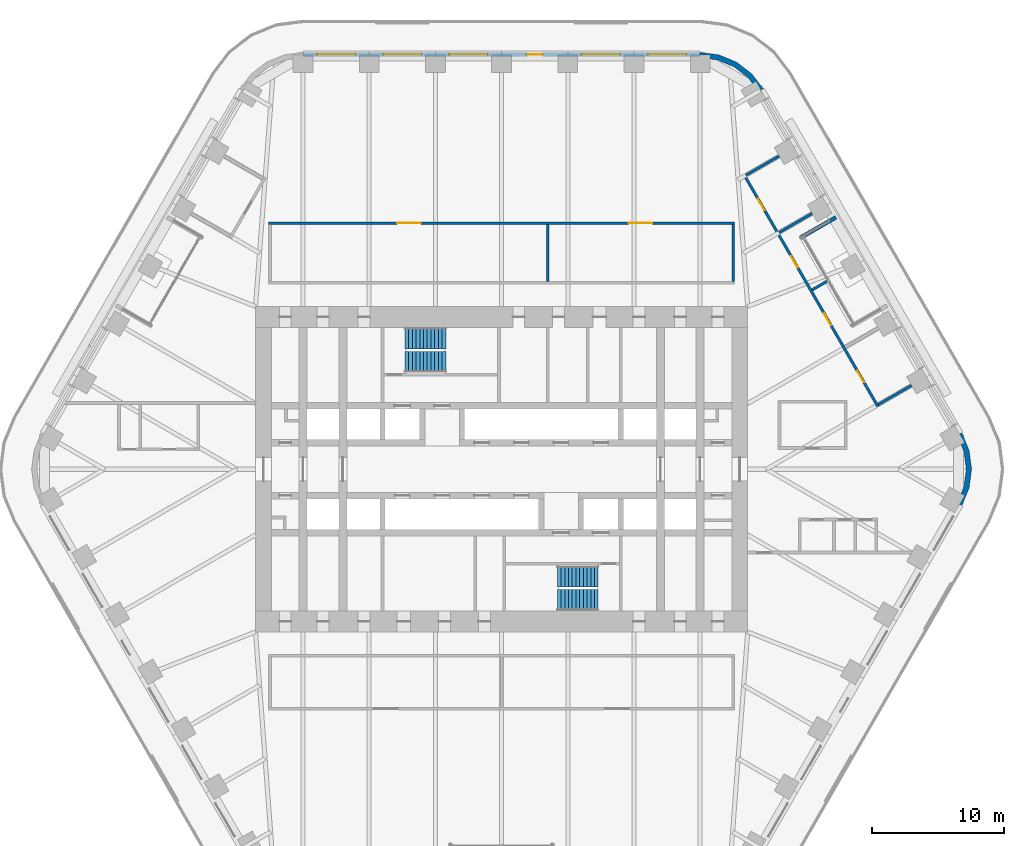
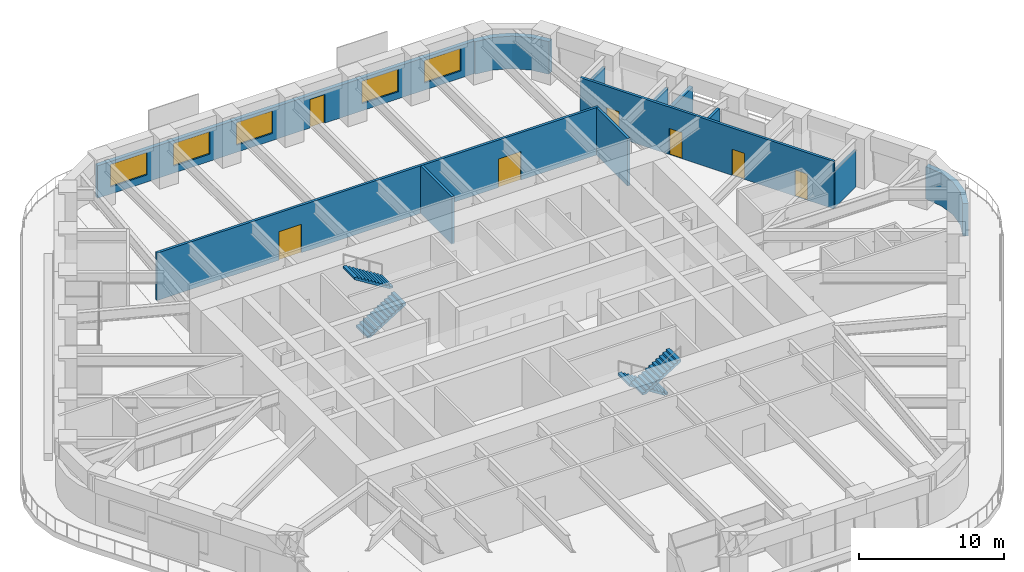
# One storey, part 21 of 24: 12 walls, 7 doors, 5 windows, 4 stair flights, 12 openings, 2 elements without a shape of their own.
"""IFC4 building model written with IfcOpenShell, lengths in metres."""

from ifc_helpers import new_model, si_unit, direction, frame, frame_2d, origin, place, context, subcontext, project, spatial, polyline, rectangle, outline, extrude, material, layer, layer_set, type_object, element, fill, aggregate, save


model = new_model("IFC4")

# Units and contexts
model_context = context("Model", 3, precision=1e-05, world=origin(), true_north=direction((0.0, 1.0)))
body_context = subcontext(model_context, "Body", "Model", "MODEL_VIEW")
ifc_project = project(units=[si_unit("LENGTHUNIT", "METRE"), si_unit("AREAUNIT", "SQUARE_METRE"), si_unit("VOLUMEUNIT", "CUBIC_METRE"), si_unit("PLANEANGLEUNIT", "RADIAN"), si_unit("MASSUNIT", "GRAM", prefix="KILO")], contexts=[model_context])

# Site, building, storey
site_placement = place(None, origin())
site = spatial("IfcSite", under=ifc_project, at=site_placement, CompositionType="ELEMENT")
building_placement = place(site_placement, origin())
building = spatial("IfcBuilding", under=site, at=building_placement, Name="Tarfa Lantern Tower", CompositionType="ELEMENT")
storey_placement = place(building_placement, frame((0.0, 0.0, 195.10009765625)))
storey = spatial("IfcBuildingStorey", under=building, at=storey_placement, Name="L44", CompositionType="ELEMENT", Elevation=195.10009765625)

# Wall
ifc_material_1 = material(Name="Limestone cladding on blockwork", Category="masonry")
ifc_layer_1 = layer(ifc_material_1, 0.300048828125)
ifc_layer_set_1 = layer_set([ifc_layer_1], Name="EW1 STONE-CLAD WALL 300")
wall_type_1 = type_object("IfcWallType", Name="EW1 STONE-CLAD WALL 300", PredefinedType="SOLIDWALL", material=ifc_layer_set_1)
wall_1_placement = place(storey_placement, frame((25.266357421875, 19.037353515625, 0.0), z_axis=(0.0, 0.0, 1.0), x_axis=(-0.86600983753, -0.500026960575, 0.0)))
element("IfcWall", 1, at=wall_1_placement, inside=storey, type_object=wall_type_1, Name="Loggia return NE 2", PredefinedType="SOLIDWALL", context=body_context, shape_type="SweptSolid", body=[
    extrude(rectangle(XDim=3.099853515625, YDim=0.300048828125, at=frame_2d((1.5498046875, 0.0))), origin(), (0.0, 0.0, 1.0), 2.75),
])

# Wall, openings, door, windows
wall_2_placement = place(storey_placement, frame((15.010986328125, 31.35009765625, 0.0), z_axis=(0.0, 0.0, 1.0), x_axis=(-1.0, 0.0, 0.0)))
wall_2 = element("IfcWall", 2, at=wall_2_placement, inside=storey, type_object=wall_type_1, Name="Stone wall N", PredefinedType="SOLIDWALL", context=body_context, shape_type="SweptSolid", body=[
    extrude(rectangle(XDim=30.02197265625, YDim=0.300048828125, at=frame_2d((15.010986328125, 0.0))), origin(), (0.0, 0.0, 1.0), 2.75),
])
opening_1_placement = place(wall_2_placement, frame((1.0517578125, 0.0, 0.60009765625)))
opening_1 = element("IfcOpeningElement", 3, at=opening_1_placement, cuts=wall_2, Name="Opening W9", PredefinedType="OPENING", context=body_context, shape_type="SweptSolid", body=[
    extrude(rectangle(XDim=2.89990234375, YDim=1.89990234375, at=frame_2d((1.449951171875, 0.949951171875))), frame((0.0, 0.159912109375, 0.0), z_axis=(0.0, -1.0, 0.0), x_axis=(1.0, 0.0, 0.0)), (0.0, 0.0, 1.0), 0.320068359375),
])
opening_2_placement = place(wall_2_placement, frame((6.0556640625, 0.0, 0.60009765625)))
opening_2 = element("IfcOpeningElement", 4, at=opening_2_placement, cuts=wall_2, Name="Opening W9", PredefinedType="OPENING", context=body_context, shape_type="SweptSolid", body=[
    extrude(rectangle(XDim=2.89990234375, YDim=1.89990234375, at=frame_2d((1.449951171875, 0.949951171875))), frame((0.0, 0.159912109375, 0.0), z_axis=(0.0, -1.0, 0.0), x_axis=(1.0, 0.0, 0.0)), (0.0, 0.0, 1.0), 0.320068359375),
])
opening_3_placement = place(wall_2_placement, frame((11.9091796875, 0.0, 0.0)))
opening_3 = element("IfcOpeningElement", 5, at=opening_3_placement, cuts=wall_2, Name="Opening D49", PredefinedType="OPENING", context=body_context, shape_type="SweptSolid", body=[
    extrude(rectangle(XDim=1.199951171875, YDim=2.39990234375, at=frame_2d((0.60009765625, 1.199951171875))), frame((0.0, 0.159912109375, 0.0), z_axis=(0.0, -1.0, 0.0), x_axis=(1.0, 0.0, 0.0)), (0.0, 0.0, 1.0), 0.320068359375),
])
opening_4_placement = place(wall_2_placement, frame((16.06298828125, 0.0, 0.60009765625)))
opening_4 = element("IfcOpeningElement", 6, at=opening_4_placement, cuts=wall_2, Name="Opening W9", PredefinedType="OPENING", context=body_context, shape_type="SweptSolid", body=[
    extrude(rectangle(XDim=2.89990234375, YDim=1.89990234375, at=frame_2d((1.449951171875, 0.949951171875))), frame((0.0, 0.159912109375, 0.0), z_axis=(0.0, -1.0, 0.0), x_axis=(1.0, 0.0, 0.0)), (0.0, 0.0, 1.0), 0.320068359375),
])
opening_5_placement = place(wall_2_placement, frame((21.066650390625, 0.0, 0.60009765625)))
opening_5 = element("IfcOpeningElement", 7, at=opening_5_placement, cuts=wall_2, Name="Opening W9", PredefinedType="OPENING", context=body_context, shape_type="SweptSolid", body=[
    extrude(rectangle(XDim=2.89990234375, YDim=1.89990234375, at=frame_2d((1.449951171875, 0.949951171875))), frame((0.0, 0.159912109375, 0.0), z_axis=(0.0, -1.0, 0.0), x_axis=(1.0, 0.0, 0.0)), (0.0, 0.0, 1.0), 0.320068359375),
])
opening_6_placement = place(wall_2_placement, frame((26.0703125, 0.0, 0.60009765625)))
opening_6 = element("IfcOpeningElement", 8, at=opening_6_placement, cuts=wall_2, Name="Opening W9", PredefinedType="OPENING", context=body_context, shape_type="SweptSolid", body=[
    extrude(rectangle(XDim=2.89990234375, YDim=1.89990234375, at=frame_2d((1.449951171875, 0.949951171875))), frame((0.0, 0.159912109375, 0.0), z_axis=(0.0, -1.0, 0.0), x_axis=(1.0, 0.0, 0.0)), (0.0, 0.0, 1.0), 0.320068359375),
])
ifc_material_2 = material(Name="Aluminium framed glazed door", Category="aluminium")
door_type_1 = type_object("IfcDoorType", Name="BE3 BALCONY DOOR 1200x2400", OperationType="SINGLE_SWING_RIGHT", PredefinedType="DOOR", material=ifc_material_2)
door_1_placement = place(opening_3_placement, origin())
door_1 = element("IfcDoor", 9, at=door_1_placement, inside=storey, type_object=door_type_1, Name="Balcony door N", OperationType="SINGLE_SWING_RIGHT", OverallHeight=2.39990234375, OverallWidth=1.199951171875, PredefinedType="DOOR", context=body_context, shape_type="SweptSolid", body=[
    extrude(rectangle(XDim=1.199951171875, YDim=2.39990234375, at=frame_2d((0.60009765625, 1.199951171875))), frame((0.0, 0.02490234375, 0.0), z_axis=(0.0, -1.0, 0.0), x_axis=(1.0, 0.0, 0.0)), (0.0, 0.0, 1.0), 0.050048828125),
])
fill(opening_3, door_1)
ifc_material_3 = material(Name="Aluminium frame, double glazed", Category="aluminium")
window_type = type_object("IfcWindowType", Name="W9 FULL-HEIGHT GLAZING 2900x1900", PartitioningType="SINGLE_PANEL", PredefinedType="WINDOW", material=ifc_material_3)
window_1_placement = place(opening_1_placement, origin())
window_1 = element("IfcWindow", 10, at=window_1_placement, inside=storey, type_object=window_type, Name="Window N 1", OverallHeight=1.89990234375, OverallWidth=2.89990234375, PartitioningType="SINGLE_PANEL", PredefinedType="WINDOW", context=body_context, shape_type="SweptSolid", body=[
    extrude(rectangle(XDim=2.89990234375, YDim=1.89990234375, at=frame_2d((1.449951171875, 0.949951171875))), frame((0.0, 0.030029296875, 0.0), z_axis=(0.0, -1.0, 0.0), x_axis=(1.0, 0.0, 0.0)), (0.0, 0.0, 1.0), 0.06005859375),
])
fill(opening_1, window_1)
window_2_placement = place(opening_2_placement, origin())
window_2 = element("IfcWindow", 11, at=window_2_placement, inside=storey, type_object=window_type, Name="Window N 2", OverallHeight=1.89990234375, OverallWidth=2.89990234375, PartitioningType="SINGLE_PANEL", PredefinedType="WINDOW", context=body_context, shape_type="SweptSolid", body=[
    extrude(rectangle(XDim=2.89990234375, YDim=1.89990234375, at=frame_2d((1.449951171875, 0.949951171875))), frame((0.0, 0.030029296875, 0.0), z_axis=(0.0, -1.0, 0.0), x_axis=(1.0, 0.0, 0.0)), (0.0, 0.0, 1.0), 0.06005859375),
])
fill(opening_2, window_2)
window_3_placement = place(opening_4_placement, origin())
window_3 = element("IfcWindow", 12, at=window_3_placement, inside=storey, type_object=window_type, Name="Window N 4", OverallHeight=1.89990234375, OverallWidth=2.89990234375, PartitioningType="SINGLE_PANEL", PredefinedType="WINDOW", context=body_context, shape_type="SweptSolid", body=[
    extrude(rectangle(XDim=2.89990234375, YDim=1.89990234375, at=frame_2d((1.449951171875, 0.949951171875))), frame((0.0, 0.030029296875, 0.0), z_axis=(0.0, -1.0, 0.0), x_axis=(1.0, 0.0, 0.0)), (0.0, 0.0, 1.0), 0.06005859375),
])
fill(opening_4, window_3)
window_4_placement = place(opening_5_placement, origin())
window_4 = element("IfcWindow", 13, at=window_4_placement, inside=storey, type_object=window_type, Name="Window N 5", OverallHeight=1.89990234375, OverallWidth=2.89990234375, PartitioningType="SINGLE_PANEL", PredefinedType="WINDOW", context=body_context, shape_type="SweptSolid", body=[
    extrude(rectangle(XDim=2.89990234375, YDim=1.89990234375, at=frame_2d((1.449951171875, 0.949951171875))), frame((0.0, 0.030029296875, 0.0), z_axis=(0.0, -1.0, 0.0), x_axis=(1.0, 0.0, 0.0)), (0.0, 0.0, 1.0), 0.06005859375),
])
fill(opening_5, window_4)
window_5_placement = place(opening_6_placement, origin())
window_5 = element("IfcWindow", 14, at=window_5_placement, inside=storey, type_object=window_type, Name="Window N 6", OverallHeight=1.89990234375, OverallWidth=2.89990234375, PartitioningType="SINGLE_PANEL", PredefinedType="WINDOW", context=body_context, shape_type="SweptSolid", body=[
    extrude(rectangle(XDim=2.89990234375, YDim=1.89990234375, at=frame_2d((1.449951171875, 0.949951171875))), frame((0.0, 0.030029296875, 0.0), z_axis=(0.0, -1.0, 0.0), x_axis=(1.0, 0.0, 0.0)), (0.0, 0.0, 1.0), 0.06005859375),
])
fill(opening_6, window_5)

# Walls
ifc_layer_2 = layer(ifc_material_1, 0.39990234375)
ifc_layer_set_2 = layer_set([ifc_layer_2], Name="EW2 CURVED STONE CORNER 400")
wall_type_2 = type_object("IfcWallType", Name="EW2 CURVED STONE CORNER 400", PredefinedType="SOLIDWALL", material=ifc_layer_set_2)
wall_3_placement = place(storey_placement, origin())
element("IfcWall", 15, at=wall_3_placement, inside=storey, type_object=wall_type_2, Name="Stone corner NE-N", PredefinedType="SOLIDWALL", context=body_context, shape_type="SweptSolid", body=[
    extrude(outline(polyline([(19.774169921875, 28.75), (18.900146484375, 29.88916015625), (17.760986328125, 30.76318359375), (16.4345703125, 31.3125), (15.010986328125, 31.5), (15.010986328125, 31.10009765625), (16.3310546875, 30.92626953125), (17.56103515625, 30.416748046875), (18.617431640625, 29.606201171875), (19.427734375, 28.550048828125), (19.774169921875, 28.75)])), origin(), (0.0, 0.0, 1.0), 2.75),
])
wall_4_placement = place(storey_placement, origin())
element("IfcWall", 16, at=wall_4_placement, inside=storey, type_object=wall_type_2, Name="Stone corner SE-NE", PredefinedType="SOLIDWALL", context=body_context, shape_type="SweptSolid", body=[
    extrude(outline(polyline([(34.785400390625, -2.75), (35.334716796875, -1.423583984375), (35.522216796875, 0.0), (35.334716796875, 1.423583984375), (34.785400390625, 2.75), (34.43896484375, 2.550048828125), (34.948486328125, 1.320068359375), (35.122314453125, 0.0), (34.948486328125, -1.320068359375), (34.43896484375, -2.550048828125), (34.785400390625, -2.75)])), origin(), (0.0, 0.0, 1.0), 2.75),
])

# Wall, openings, doors
ifc_material_4 = material(Name="Gypsum board on steel studs", Category="steel")
ifc_layer_3 = layer(ifc_material_4, 0.2099609375)
ifc_layer_set_3 = layer_set([ifc_layer_3], Name="IW2 ACOUSTIC PARTITION 200")
wall_type_3 = type_object("IfcWallType", Name="IW2 ACOUSTIC PARTITION 200", PredefinedType="PARTITIONING", material=ifc_layer_set_3)
wall_5_placement = place(storey_placement, frame((-17.60009765625, 18.60009765625, 0.0), z_axis=(0.0, 0.0, 1.0), x_axis=(1.0, 0.0, 0.0)))
wall_5 = element("IfcWall", 17, at=wall_5_placement, inside=storey, type_object=wall_type_3, Name="Partition", PredefinedType="PARTITIONING", context=body_context, shape_type="SweptSolid", body=[
    extrude(rectangle(XDim=35.2001953125, YDim=0.199951171875, at=frame_2d((17.60009765625, 0.0))), origin(), (0.0, 0.0, 1.0), 4.0),
])
opening_7_placement = place(wall_5_placement, frame((9.699951171875, 0.0, 0.0)))
opening_7 = element("IfcOpeningElement", 18, at=opening_7_placement, cuts=wall_5, Name="Opening D39", PredefinedType="OPENING", context=body_context, shape_type="SweptSolid", body=[
    extrude(rectangle(XDim=1.800048828125, YDim=2.39990234375, at=frame_2d((0.89990234375, 1.199951171875))), frame((0.0, 0.10986328125, 0.0), z_axis=(0.0, -1.0, 0.0), x_axis=(1.0, 0.0, 0.0)), (0.0, 0.0, 1.0), 0.219970703125),
])
opening_8_placement = place(wall_5_placement, frame((27.199951171875, 0.0, 0.0)))
opening_8 = element("IfcOpeningElement", 19, at=opening_8_placement, cuts=wall_5, Name="Opening D40", PredefinedType="OPENING", context=body_context, shape_type="SweptSolid", body=[
    extrude(rectangle(XDim=1.800048828125, YDim=2.39990234375, at=frame_2d((0.89990234375, 1.199951171875))), frame((0.0, 0.10986328125, 0.0), z_axis=(0.0, -1.0, 0.0), x_axis=(1.0, 0.0, 0.0)), (0.0, 0.0, 1.0), 0.219970703125),
])
ifc_material_5 = material(Name="Timber door", Category="wood")
door_type_2 = type_object("IfcDoorType", Name="DR2 ROOM DOOR 1800x2400", OperationType="DOUBLE_DOOR_SINGLE_SWING", PredefinedType="DOOR", material=ifc_material_5)
door_2_placement = place(opening_7_placement, frame((1.800048828125, 0.0, 0.0), z_axis=(0.0, 0.0, 1.0), x_axis=(-1.0, 0.0, 0.0)))
door_2 = element("IfcDoor", 20, at=door_2_placement, inside=storey, type_object=door_type_2, Name="Materials lab door", OperationType="DOUBLE_DOOR_SINGLE_SWING", OverallHeight=2.39990234375, OverallWidth=1.800048828125, PredefinedType="DOOR", context=body_context, shape_type="SweptSolid", body=[
    extrude(rectangle(XDim=1.800048828125, YDim=2.39990234375, at=frame_2d((0.89990234375, 1.199951171875))), frame((0.0, 0.02490234375, 0.0), z_axis=(0.0, -1.0, 0.0), x_axis=(1.0, 0.0, 0.0)), (0.0, 0.0, 1.0), 0.050048828125),
])
fill(opening_7, door_2)
door_3_placement = place(opening_8_placement, frame((1.800048828125, 0.0, 0.0), z_axis=(0.0, 0.0, 1.0), x_axis=(-1.0, 0.0, 0.0)))
door_3 = element("IfcDoor", 21, at=door_3_placement, inside=storey, type_object=door_type_2, Name="Lab store door", OperationType="DOUBLE_DOOR_SINGLE_SWING", OverallHeight=2.39990234375, OverallWidth=1.800048828125, PredefinedType="DOOR", context=body_context, shape_type="SweptSolid", body=[
    extrude(rectangle(XDim=1.800048828125, YDim=2.39990234375, at=frame_2d((0.89990234375, 1.199951171875))), frame((0.0, 0.02490234375, 0.0), z_axis=(0.0, -1.0, 0.0), x_axis=(1.0, 0.0, 0.0)), (0.0, 0.0, 1.0), 0.050048828125),
])
fill(opening_8, door_3)

# Walls
for number, where, z_axis, x_axis, name in (
    (22, (3.5, 14.199951171875, 0.0), (0.0, 0.0, 1.0), (0.0, 1.0, 0.0), "Partition"),
    (23, (17.5, 14.199951171875, 0.0), (0.0, 0.0, 1.0), (0.0, 1.0, 0.0), "Partition"),
):
    element("IfcWall", number, at=place(storey_placement, frame(where, z_axis=z_axis, x_axis=x_axis)), inside=storey, type_object=wall_type_3, Name=name, PredefinedType="PARTITIONING", context=body_context, shape_type="SweptSolid", body=[
        extrude(rectangle(XDim=4.300048828125, YDim=0.199951171875, at=frame_2d((2.14990234375, 0.0))), origin(), (0.0, 0.0, 1.0), 4.0),
    ])

# Wall, openings, doors
wall_6_placement = place(storey_placement, frame((28.436279296875, 4.746826171875, 0.0), z_axis=(0.0, 0.0, 1.0), x_axis=(-0.499995666571, 0.866027905677, 0.0)))
wall_6 = element("IfcWall", 24, at=wall_6_placement, inside=storey, type_object=wall_type_3, Name="Partition", PredefinedType="PARTITIONING", context=body_context, shape_type="SweptSolid", body=[
    extrude(rectangle(XDim=20.214599609375, YDim=0.199951171875, at=frame_2d((10.107421875, 0.0))), origin(), (0.0, 0.0, 1.0), 4.0),
])
opening_9_placement = place(wall_6_placement, frame((2.101806640625, 0.0, 0.0)))
opening_9 = element("IfcOpeningElement", 25, at=opening_9_placement, cuts=wall_6, Name="Opening D34", PredefinedType="OPENING", context=body_context, shape_type="SweptSolid", body=[
    extrude(rectangle(XDim=1.0, YDim=2.199951171875, at=frame_2d((0.5, 1.10009765625))), frame((0.0, 0.10986328125, 0.0), z_axis=(0.0, -1.0, 0.0), x_axis=(1.0, 0.0, 0.0)), (0.0, 0.0, 1.0), 0.219970703125),
])
opening_10_placement = place(wall_6_placement, frame((7.10546875, 0.0, 0.0)))
opening_10 = element("IfcOpeningElement", 26, at=opening_10_placement, cuts=wall_6, Name="Opening D35", PredefinedType="OPENING", context=body_context, shape_type="SweptSolid", body=[
    extrude(rectangle(XDim=1.0, YDim=2.199951171875, at=frame_2d((0.5, 1.10009765625))), frame((0.0, 0.10986328125, 0.0), z_axis=(0.0, -1.0, 0.0), x_axis=(1.0, 0.0, 0.0)), (0.0, 0.0, 1.0), 0.219970703125),
])
opening_11_placement = place(wall_6_placement, frame((12.109375, 0.0, 0.0)))
opening_11 = element("IfcOpeningElement", 27, at=opening_11_placement, cuts=wall_6, Name="Opening D36", PredefinedType="OPENING", context=body_context, shape_type="SweptSolid", body=[
    extrude(rectangle(XDim=1.0, YDim=2.199951171875, at=frame_2d((0.5, 1.10009765625))), frame((0.0, 0.10986328125, 0.0), z_axis=(0.0, -1.0, 0.0), x_axis=(1.0, 0.0, 0.0)), (0.0, 0.0, 1.0), 0.219970703125),
])
opening_12_placement = place(wall_6_placement, frame((17.113037109375, 0.0, 0.0)))
opening_12 = element("IfcOpeningElement", 28, at=opening_12_placement, cuts=wall_6, Name="Opening D37", PredefinedType="OPENING", context=body_context, shape_type="SweptSolid", body=[
    extrude(rectangle(XDim=1.0, YDim=2.199951171875, at=frame_2d((0.5, 1.10009765625))), frame((0.0, 0.10986328125, 0.0), z_axis=(0.0, -1.0, 0.0), x_axis=(1.0, 0.0, 0.0)), (0.0, 0.0, 1.0), 0.219970703125),
])
door_type_3 = type_object("IfcDoorType", Name="DR1 ROOM DOOR 1000x2200", OperationType="SINGLE_SWING_LEFT", PredefinedType="DOOR", material=ifc_material_5)
door_4_placement = place(opening_9_placement, frame((1.0, 0.0, 0.0), z_axis=(0.0, 0.0, 1.0), x_axis=(-1.0, 0.0, 0.0)))
door_4 = element("IfcDoor", 29, at=door_4_placement, inside=storey, type_object=door_type_3, Name="Office door", OperationType="SINGLE_SWING_LEFT", OverallHeight=2.199951171875, OverallWidth=1.0, PredefinedType="DOOR", context=body_context, shape_type="SweptSolid", body=[
    extrude(rectangle(XDim=1.0, YDim=2.199951171875, at=frame_2d((0.5, 1.10009765625))), frame((0.0, 0.02490234375, 0.0), z_axis=(0.0, -1.0, 0.0), x_axis=(1.0, 0.0, 0.0)), (0.0, 0.0, 1.0), 0.050048828125),
])
fill(opening_9, door_4)
door_5_placement = place(opening_10_placement, frame((1.0, 0.0, 0.0), z_axis=(0.0, 0.0, 1.0), x_axis=(-1.0, 0.0, 0.0)))
door_5 = element("IfcDoor", 30, at=door_5_placement, inside=storey, type_object=door_type_3, Name="Office door", OperationType="SINGLE_SWING_LEFT", OverallHeight=2.199951171875, OverallWidth=1.0, PredefinedType="DOOR", context=body_context, shape_type="SweptSolid", body=[
    extrude(rectangle(XDim=1.0, YDim=2.199951171875, at=frame_2d((0.5, 1.10009765625))), frame((0.0, 0.02490234375, 0.0), z_axis=(0.0, -1.0, 0.0), x_axis=(1.0, 0.0, 0.0)), (0.0, 0.0, 1.0), 0.050048828125),
])
fill(opening_10, door_5)
door_6_placement = place(opening_11_placement, frame((1.0, 0.0, 0.0), z_axis=(0.0, 0.0, 1.0), x_axis=(-1.0, 0.0, 0.0)))
door_6 = element("IfcDoor", 31, at=door_6_placement, inside=storey, type_object=door_type_3, Name="Office door", OperationType="SINGLE_SWING_RIGHT", OverallHeight=2.199951171875, OverallWidth=1.0, PredefinedType="DOOR", context=body_context, shape_type="SweptSolid", body=[
    extrude(rectangle(XDim=1.0, YDim=2.199951171875, at=frame_2d((0.5, 1.10009765625))), frame((0.0, 0.02490234375, 0.0), z_axis=(0.0, -1.0, 0.0), x_axis=(1.0, 0.0, 0.0)), (0.0, 0.0, 1.0), 0.050048828125),
])
fill(opening_11, door_6)
door_7_placement = place(opening_12_placement, frame((1.0, 0.0, 0.0), z_axis=(0.0, 0.0, 1.0), x_axis=(-1.0, 0.0, 0.0)))
door_7 = element("IfcDoor", 32, at=door_7_placement, inside=storey, type_object=door_type_3, Name="Office door", OperationType="SINGLE_SWING_RIGHT", OverallHeight=2.199951171875, OverallWidth=1.0, PredefinedType="DOOR", context=body_context, shape_type="SweptSolid", body=[
    extrude(rectangle(XDim=1.0, YDim=2.199951171875, at=frame_2d((0.5, 1.10009765625))), frame((0.0, 0.02490234375, 0.0), z_axis=(0.0, -1.0, 0.0), x_axis=(1.0, 0.0, 0.0)), (0.0, 0.0, 1.0), 0.050048828125),
])
fill(opening_12, door_7)

# Walls
wall_7_placement = place(storey_placement, frame((28.472900390625, 4.88330078125, 0.0), z_axis=(0.0, 0.0, 1.0), x_axis=(0.866032775405, 0.499987231761, 0.0)))
element("IfcWall", 33, at=wall_7_placement, inside=storey, type_object=wall_type_3, Name="Partition", PredefinedType="PARTITIONING", context=body_context, shape_type="SweptSolid", body=[
    extrude(rectangle(XDim=2.89990234375, YDim=0.199951171875, at=frame_2d((1.449951171875, 0.0))), origin(), (0.0, 0.0, 1.0), 3.08154296875),
])
wall_8_placement = place(storey_placement, frame((23.46923828125, 13.550048828125, 0.0), z_axis=(0.0, 0.0, 1.0), x_axis=(0.866057911062, 0.499943691516, 0.0)))
element("IfcWall", 34, at=wall_8_placement, inside=storey, type_object=wall_type_3, Name="Partition", PredefinedType="PARTITIONING", context=body_context, shape_type="SweptSolid", body=[
    extrude(rectangle(XDim=1.401123046875, YDim=0.199951171875, at=frame_2d((0.70068359375, 0.0))), origin(), (0.0, 0.0, 1.0), 4.0),
])
wall_9_placement = place(storey_placement, frame((20.967529296875, 17.88330078125, 0.0), z_axis=(0.0, 0.0, 1.0), x_axis=(0.866032775405, 0.499987231761, 0.0)))
element("IfcWall", 35, at=wall_9_placement, inside=storey, type_object=wall_type_3, Name="Partition", PredefinedType="PARTITIONING", context=body_context, shape_type="SweptSolid", body=[
    extrude(rectangle(XDim=2.89990234375, YDim=0.199951171875, at=frame_2d((1.449951171875, 0.0))), origin(), (0.0, 0.0, 1.0), 3.08154296875),
])
wall_10_placement = place(storey_placement, frame((18.465576171875, 22.216552734375, 0.0), z_axis=(0.0, 0.0, 1.0), x_axis=(0.865996321171, 0.50005036918, 0.0)))
element("IfcWall", 36, at=wall_10_placement, inside=storey, type_object=wall_type_3, Name="Partition", PredefinedType="PARTITIONING", context=body_context, shape_type="SweptSolid", body=[
    extrude(rectangle(XDim=2.900146484375, YDim=0.199951171875, at=frame_2d((1.4501953125, 0.0))), origin(), (0.0, 0.0, 1.0), 3.08154296875),
])

# Stair, stair flights
ifc_material_6 = material(Name="Concrete C40/50", Category="concrete")
stair_type = type_object("IfcStairType", Name="ST-T10 HALF-TURN STAIR 4200 RISE", PredefinedType="HALF_TURN_STAIR", material=ifc_material_6)
stair_1_placement = place(storey_placement, origin())
stair_1 = element("IfcStair", 37, at=stair_1_placement, inside=storey, type_object=stair_type, Name="Stair ST1", PredefinedType="HALF_TURN_STAIR")
stair_flight_type = type_object("IfcStairFlightType", Name="SF1 STAIR FLIGHT", PredefinedType="STRAIGHT", material=ifc_material_6)
stair_flight_1_placement = place(storey_placement, frame((-7.300048828125, 8.10009765625, 0.0), z_axis=(0.0, 0.0, 1.0), x_axis=(1.0, 0.0, 0.0)))
stair_flight_1 = element("IfcStairFlight", 38, at=stair_flight_1_placement, type_object=stair_flight_type, Name="ST1 flight 1", NumberOfRisers=12, NumberOfTreads=11, PredefinedType="STRAIGHT", RiserHeight=0.175, TreadLength=0.28, context=body_context, shape_type="SweptSolid", body=[
    extrude(outline(polyline([(0.0, 0.0), (0.0, 0.175048828125), (0.280029296875, 0.175048828125), (0.280029296875, 0.35009765625), (0.56005859375, 0.35009765625), (0.56005859375, 0.52490234375), (0.840087890625, 0.52490234375), (0.840087890625, 0.699951171875), (1.1201171875, 0.699951171875), (1.1201171875, 0.875), (1.39990234375, 0.875), (1.39990234375, 1.050048828125), (1.679931640625, 1.050048828125), (1.679931640625, 1.22509765625), (1.9599609375, 1.22509765625), (1.9599609375, 1.39990234375), (2.239990234375, 1.39990234375), (2.239990234375, 1.574951171875), (2.52001953125, 1.574951171875), (2.52001953125, 1.75), (2.800048828125, 1.75), (2.800048828125, 1.925048828125), (3.080078125, 1.925048828125), (3.080078125, 2.10009765625), (3.080078125, 1.748291015625), (0.28271484375, 0.0), (0.0, 0.0)])), frame((0.0, 0.800048828125, 0.0), z_axis=(0.0, -1.0, 0.0), x_axis=(1.0, 0.0, 0.0)), (0.0, 0.0, 1.0), 1.60009765625),
])
stair_flight_2_placement = place(storey_placement, frame((-4.219970703125, 9.89990234375, 2.099853515625), z_axis=(0.0, 0.0, 1.0), x_axis=(-1.0, 0.0, 0.0)))
stair_flight_2 = element("IfcStairFlight", 39, at=stair_flight_2_placement, type_object=stair_flight_type, Name="ST1 flight 2", NumberOfRisers=12, NumberOfTreads=11, PredefinedType="STRAIGHT", RiserHeight=0.175, TreadLength=0.28, context=body_context, shape_type="SweptSolid", body=[
    extrude(outline(polyline([(0.0, 0.0), (0.0, 0.175048828125), (0.280029296875, 0.175048828125), (0.280029296875, 0.35009765625), (0.56005859375, 0.35009765625), (0.56005859375, 0.52490234375), (0.840087890625, 0.52490234375), (0.840087890625, 0.699951171875), (1.1201171875, 0.699951171875), (1.1201171875, 0.875), (1.39990234375, 0.875), (1.39990234375, 1.050048828125), (1.679931640625, 1.050048828125), (1.679931640625, 1.22509765625), (1.9599609375, 1.22509765625), (1.9599609375, 1.39990234375), (2.239990234375, 1.39990234375), (2.239990234375, 1.574951171875), (2.52001953125, 1.574951171875), (2.52001953125, 1.75), (2.800048828125, 1.75), (2.800048828125, 1.925048828125), (3.080078125, 1.925048828125), (3.080078125, 2.10009765625), (3.080078125, 1.748291015625), (0.28271484375, 0.0), (0.0, 0.0)])), frame((0.0, 0.800048828125, 0.0), z_axis=(0.0, -1.0, 0.0), x_axis=(1.0, 0.0, 0.0)), (0.0, 0.0, 1.0), 1.60009765625),
])
aggregate(stair_1, [stair_flight_1, stair_flight_2])

stair_2_placement = place(storey_placement, origin())
stair_2 = element("IfcStair", 40, at=stair_2_placement, inside=storey, type_object=stair_type, Name="Stair ST2", PredefinedType="HALF_TURN_STAIR")
stair_flight_3_placement = place(storey_placement, frame((7.300048828125, -8.10009765625, 0.0), z_axis=(0.0, 0.0, 1.0), x_axis=(-1.0, 0.0, 0.0)))
stair_flight_3 = element("IfcStairFlight", 41, at=stair_flight_3_placement, type_object=stair_flight_type, Name="ST2 flight 1", NumberOfRisers=12, NumberOfTreads=11, PredefinedType="STRAIGHT", RiserHeight=0.175, TreadLength=0.28, context=body_context, shape_type="SweptSolid", body=[
    extrude(outline(polyline([(0.0, 0.0), (0.0, 0.175048828125), (0.280029296875, 0.175048828125), (0.280029296875, 0.35009765625), (0.56005859375, 0.35009765625), (0.56005859375, 0.52490234375), (0.840087890625, 0.52490234375), (0.840087890625, 0.699951171875), (1.1201171875, 0.699951171875), (1.1201171875, 0.875), (1.39990234375, 0.875), (1.39990234375, 1.050048828125), (1.679931640625, 1.050048828125), (1.679931640625, 1.22509765625), (1.9599609375, 1.22509765625), (1.9599609375, 1.39990234375), (2.239990234375, 1.39990234375), (2.239990234375, 1.574951171875), (2.52001953125, 1.574951171875), (2.52001953125, 1.75), (2.800048828125, 1.75), (2.800048828125, 1.925048828125), (3.080078125, 1.925048828125), (3.080078125, 2.10009765625), (3.080078125, 1.748291015625), (0.28271484375, 0.0), (0.0, 0.0)])), frame((0.0, 0.800048828125, 0.0), z_axis=(0.0, -1.0, 0.0), x_axis=(1.0, 0.0, 0.0)), (0.0, 0.0, 1.0), 1.60009765625),
])
stair_flight_4_placement = place(storey_placement, frame((4.219970703125, -9.89990234375, 2.099853515625), z_axis=(0.0, 0.0, 1.0), x_axis=(1.0, 0.0, 0.0)))
stair_flight_4 = element("IfcStairFlight", 42, at=stair_flight_4_placement, type_object=stair_flight_type, Name="ST2 flight 2", NumberOfRisers=12, NumberOfTreads=11, PredefinedType="STRAIGHT", RiserHeight=0.175, TreadLength=0.28, context=body_context, shape_type="SweptSolid", body=[
    extrude(outline(polyline([(0.0, 0.0), (0.0, 0.175048828125), (0.280029296875, 0.175048828125), (0.280029296875, 0.35009765625), (0.56005859375, 0.35009765625), (0.56005859375, 0.52490234375), (0.840087890625, 0.52490234375), (0.840087890625, 0.699951171875), (1.1201171875, 0.699951171875), (1.1201171875, 0.875), (1.39990234375, 0.875), (1.39990234375, 1.050048828125), (1.679931640625, 1.050048828125), (1.679931640625, 1.22509765625), (1.9599609375, 1.22509765625), (1.9599609375, 1.39990234375), (2.239990234375, 1.39990234375), (2.239990234375, 1.574951171875), (2.52001953125, 1.574951171875), (2.52001953125, 1.75), (2.800048828125, 1.75), (2.800048828125, 1.925048828125), (3.080078125, 1.925048828125), (3.080078125, 2.10009765625), (3.080078125, 1.748291015625), (0.28271484375, 0.0), (0.0, 0.0)])), frame((0.0, 0.800048828125, 0.0), z_axis=(0.0, -1.0, 0.0), x_axis=(1.0, 0.0, 0.0)), (0.0, 0.0, 1.0), 1.60009765625),
])
aggregate(stair_2, [stair_flight_3, stair_flight_4])

save(model, "model.ifc")
